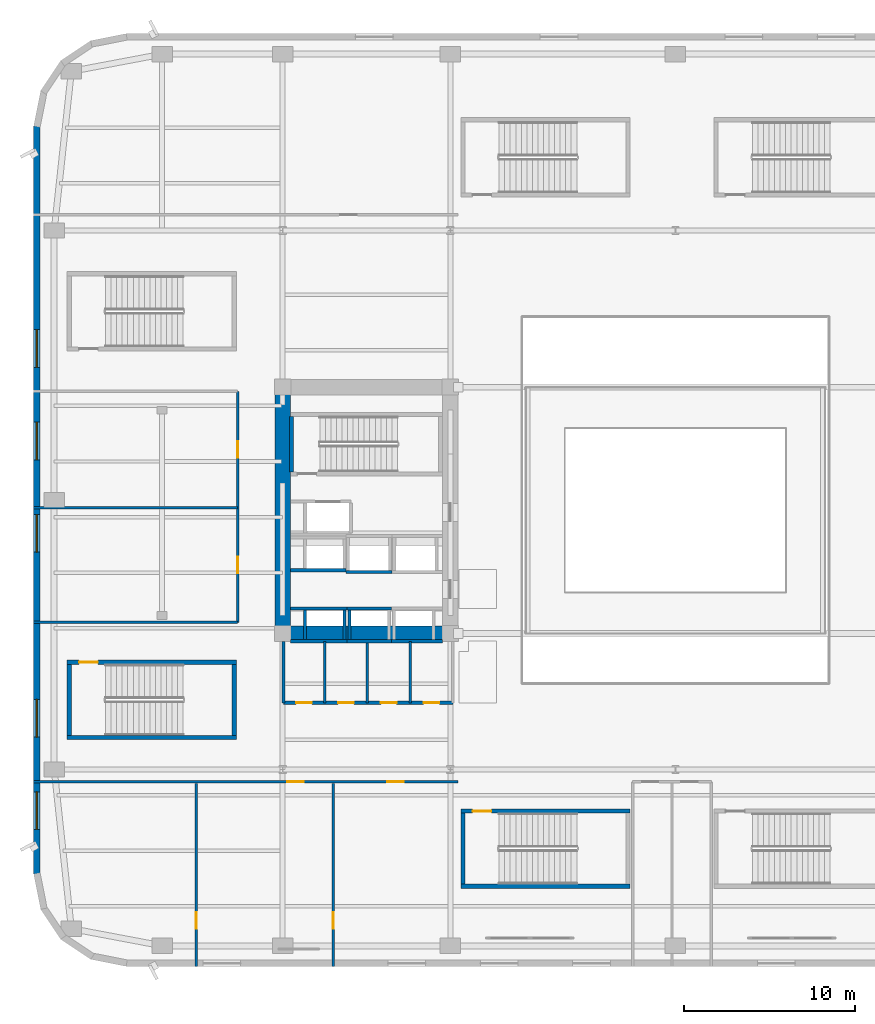
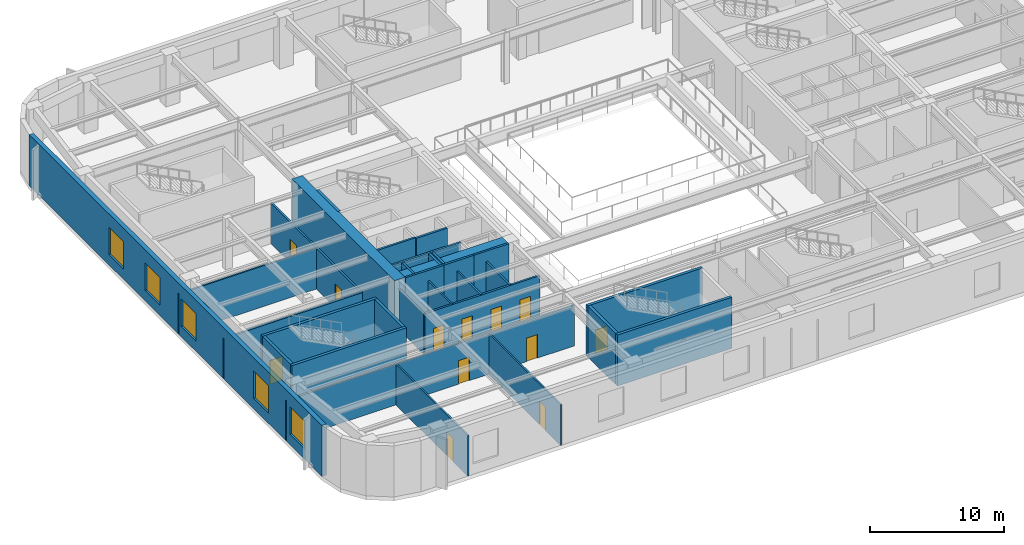
# One storey, part 6 of 22: 32 walls, 12 doors, 5 windows, 17 openings.
"""IFC4 building model written with IfcOpenShell, lengths in metres."""

from ifc_helpers import new_model, si_unit, direction, frame, frame_2d, origin, place, context, subcontext, project, spatial, rectangle, extrude, material, layer, layer_set, type_object, element, fill, save


model = new_model("IFC4")

# Units and contexts
model_context = context("Model", 3, precision=1e-05, world=origin(), true_north=direction((0.0, 1.0)))
body_context = subcontext(model_context, "Body", "Model", "MODEL_VIEW")
ifc_project = project(units=[si_unit("LENGTHUNIT", "METRE"), si_unit("AREAUNIT", "SQUARE_METRE"), si_unit("VOLUMEUNIT", "CUBIC_METRE"), si_unit("PLANEANGLEUNIT", "RADIAN"), si_unit("MASSUNIT", "GRAM", prefix="KILO")], contexts=[model_context])

# Site, building, storey
site_placement = place(None, origin())
site = spatial("IfcSite", under=ifc_project, at=site_placement, CompositionType="ELEMENT")
building_placement = place(site_placement, origin())
building = spatial("IfcBuilding", under=site, at=building_placement, Name="Kolvaren Arena Tower", CompositionType="ELEMENT")
storey_placement = place(building_placement, frame((0.0, 0.0, 13.0)))
storey = spatial("IfcBuildingStorey", under=building, at=storey_placement, Name="L02", CompositionType="ELEMENT", Elevation=13.0)

# Wall, openings, doors
ifc_material_1 = material(Name="Gypsum board acoustic assembly", Category="gypsum")
ifc_layer_1 = layer(ifc_material_1, 0.159912109375)
ifc_layer_set_1 = layer_set([ifc_layer_1], Name="Gypsum board acoustic assembly")
wall_type_1 = type_object("IfcWallType", Name="CORR-160", PredefinedType="PARTITIONING", material=ifc_layer_set_1)
wall_1_placement = place(storey_placement, frame((11.919921875, 20.10009765625, 0.0), z_axis=(0.0, 0.0, 1.0), x_axis=(0.0, 1.0, 0.0)))
wall_1 = element("IfcWall", 1, at=wall_1_placement, inside=storey, type_object=wall_type_1, Name="Interior Partition Wall (L02)", PredefinedType="PARTITIONING", context=body_context, shape_type="SweptSolid", body=[
    extrude(rectangle(XDim=13.5, YDim=0.159912109375, at=frame_2d((6.75, 0.0))), origin(), (0.0, 0.0, 1.0), 3.7099609375),
])
opening_1_placement = place(wall_1_placement, frame((2.8701171875, 0.0, 0.0)))
opening_1 = element("IfcOpeningElement", 2, at=opening_1_placement, cuts=wall_1, Name="Opening D05", PredefinedType="OPENING", context=body_context, shape_type="SweptSolid", body=[
    extrude(rectangle(XDim=0.949951171875, YDim=2.14990234375, at=frame_2d((0.47509765625, 1.074951171875))), frame((0.0, 0.08984375, 0.0), z_axis=(0.0, -1.0, 0.0), x_axis=(1.0, 0.0, 0.0)), (0.0, 0.0, 1.0), 0.179931640625),
])
opening_2_placement = place(wall_1_placement, frame((9.6201171875, 0.0, 0.0)))
opening_2 = element("IfcOpeningElement", 3, at=opening_2_placement, cuts=wall_1, Name="Opening D05", PredefinedType="OPENING", context=body_context, shape_type="SweptSolid", body=[
    extrude(rectangle(XDim=0.949951171875, YDim=2.14990234375, at=frame_2d((0.47509765625, 1.074951171875))), frame((0.0, 0.08984375, 0.0), z_axis=(0.0, -1.0, 0.0), x_axis=(1.0, 0.0, 0.0)), (0.0, 0.0, 1.0), 0.179931640625),
])
ifc_material_2 = material(Name="Solid-core oak acoustic office door", Category="wood")
door_type_1 = type_object("IfcDoorType", Name="DOOR-OF-095", OperationType="NOTDEFINED", PredefinedType="DOOR", material=ifc_material_2)
door_1_placement = place(opening_1_placement, origin())
door_1 = element("IfcDoor", 4, at=door_1_placement, inside=storey, type_object=door_type_1, Name="VIP Dining Hall Door (L02)", OperationType="SINGLE_SWING_LEFT", OverallHeight=2.14990234375, OverallWidth=0.949951171875, PredefinedType="DOOR", context=body_context, shape_type="SweptSolid", body=[
    extrude(rectangle(XDim=0.949951171875, YDim=2.14990234375, at=frame_2d((0.47509765625, 1.074951171875))), frame((0.0, 0.02490234375, 0.0), z_axis=(0.0, -1.0, 0.0), x_axis=(1.0, 0.0, 0.0)), (0.0, 0.0, 1.0), 0.050048828125),
])
fill(opening_1, door_1)
door_2_placement = place(opening_2_placement, origin())
door_2 = element("IfcDoor", 5, at=door_2_placement, inside=storey, type_object=door_type_1, Name="Sponsor Reception Lounge Door (L02)", OperationType="SINGLE_SWING_LEFT", OverallHeight=2.14990234375, OverallWidth=0.949951171875, PredefinedType="DOOR", context=body_context, shape_type="SweptSolid", body=[
    extrude(rectangle(XDim=0.949951171875, YDim=2.14990234375, at=frame_2d((0.47509765625, 1.074951171875))), frame((0.0, 0.02490234375, 0.0), z_axis=(0.0, -1.0, 0.0), x_axis=(1.0, 0.0, 0.0)), (0.0, 0.0, 1.0), 0.050048828125),
])
fill(opening_2, door_2)

# Wall
wall_2_placement = place(storey_placement, frame((0.0, 20.10009765625, 0.0), z_axis=(0.0, 0.0, 1.0), x_axis=(1.0, 0.0, 0.0)))
element("IfcWall", 6, at=wall_2_placement, inside=storey, type_object=wall_type_1, Name="Interior Partition Wall (L02)", PredefinedType="PARTITIONING", context=body_context, shape_type="SweptSolid", body=[
    extrude(rectangle(XDim=11.919921875, YDim=0.159912109375, at=frame_2d((5.9599609375, 0.0))), origin(), (0.0, 0.0, 1.0), 3.7099609375),
])

# Wall, openings, doors
wall_3_placement = place(storey_placement, frame((0.0, 10.780029296875, 0.0), z_axis=(0.0, 0.0, 1.0), x_axis=(1.0, 0.0, 0.0)))
wall_3 = element("IfcWall", 7, at=wall_3_placement, inside=storey, type_object=wall_type_1, Name="Interior Partition Wall (L02)", PredefinedType="PARTITIONING", context=body_context, shape_type="SweptSolid", body=[
    extrude(rectangle(XDim=24.800048828125, YDim=0.159912109375, at=frame_2d((12.39990234375, 0.0))), origin(), (0.0, 0.0, 1.0), 3.7099609375),
])
opening_3_placement = place(wall_3_placement, frame((14.818359375, 0.0, 0.0)))
opening_3 = element("IfcOpeningElement", 8, at=opening_3_placement, cuts=wall_3, Name="Opening D05", PredefinedType="OPENING", context=body_context, shape_type="SweptSolid", body=[
    extrude(rectangle(XDim=0.949951171875, YDim=2.14990234375, at=frame_2d((0.47509765625, 1.074951171875))), frame((0.0, 0.08984375, 0.0), z_axis=(0.0, -1.0, 0.0), x_axis=(1.0, 0.0, 0.0)), (0.0, 0.0, 1.0), 0.179931640625),
])
opening_4_placement = place(wall_3_placement, frame((20.669921875, 0.0, 0.0)))
opening_4 = element("IfcOpeningElement", 9, at=opening_4_placement, cuts=wall_3, Name="Opening D05", PredefinedType="OPENING", context=body_context, shape_type="SweptSolid", body=[
    extrude(rectangle(XDim=0.949951171875, YDim=2.14990234375, at=frame_2d((0.47509765625, 1.074951171875))), frame((0.0, 0.08984375, 0.0), z_axis=(0.0, -1.0, 0.0), x_axis=(1.0, 0.0, 0.0)), (0.0, 0.0, 1.0), 0.179931640625),
])
door_3_placement = place(opening_3_placement, origin())
door_3 = element("IfcDoor", 10, at=door_3_placement, inside=storey, type_object=door_type_1, Name="Guest Services Studio Door (L02)", OperationType="SINGLE_SWING_RIGHT", OverallHeight=2.14990234375, OverallWidth=0.949951171875, PredefinedType="DOOR", context=body_context, shape_type="SweptSolid", body=[
    extrude(rectangle(XDim=0.949951171875, YDim=2.14990234375, at=frame_2d((0.47509765625, 1.074951171875))), frame((0.0, 0.02490234375, 0.0), z_axis=(0.0, -1.0, 0.0), x_axis=(1.0, 0.0, 0.0)), (0.0, 0.0, 1.0), 0.050048828125),
])
fill(opening_3, door_3)
door_4_placement = place(opening_4_placement, origin())
door_4 = element("IfcDoor", 11, at=door_4_placement, inside=storey, type_object=door_type_1, Name="Breakout Pantry and Kitchen Door (L02)", OperationType="SINGLE_SWING_LEFT", OverallHeight=2.14990234375, OverallWidth=0.949951171875, PredefinedType="DOOR", context=body_context, shape_type="SweptSolid", body=[
    extrude(rectangle(XDim=0.949951171875, YDim=2.14990234375, at=frame_2d((0.47509765625, 1.074951171875))), frame((0.0, 0.02490234375, 0.0), z_axis=(0.0, -1.0, 0.0), x_axis=(1.0, 0.0, 0.0)), (0.0, 0.0, 1.0), 0.050048828125),
])
fill(opening_4, door_4)

# Walls
ifc_material_3 = material(Name="Concrete 80 MPa", Category="concrete")
ifc_layer_2 = layer(ifc_material_3, 0.89990234375)
ifc_layer_set_2 = layer_set([ifc_layer_2], Name="Concrete 80 MPa")
wall_type_2 = type_object("IfcWallType", Name="CWALL-900", PredefinedType="SHEAR", material=ifc_layer_set_2)
wall_4_placement = place(storey_placement, frame((14.550048828125, 19.0, -0.35009765625), z_axis=(0.0, 0.0, 1.0), x_axis=(0.0, 1.0, 0.0)))
element("IfcWall", 12, at=wall_4_placement, inside=storey, type_object=wall_type_2, Name="Core Shear Wall WC-WEST (L02)", PredefinedType="SHEAR", context=body_context, shape_type="SweptSolid", body=[
    extrude(rectangle(XDim=15.300048828125, YDim=0.89990234375, at=frame_2d((7.64990234375, 0.0))), origin(), (0.0, 0.0, 1.0), 5.0),
])
wall_5_placement = place(storey_placement, frame((15.0, 19.449951171875, -0.35009765625), z_axis=(0.0, 0.0, 1.0), x_axis=(1.0, 0.0, 0.0)))
element("IfcWall", 13, at=wall_5_placement, inside=storey, type_object=wall_type_2, Name="Core Shear Wall WC-SOUTH (L02)", PredefinedType="SHEAR", context=body_context, shape_type="SweptSolid", body=[
    extrude(rectangle(XDim=8.89990234375, YDim=0.89990234375, at=frame_2d((4.449951171875, 0.0))), origin(), (0.0, 0.0, 1.0), 5.0),
])

# Wall, openings, windows
ifc_material_4 = material(Name="Precast concrete C50/60", Category="concrete")
ifc_layer_3 = layer(ifc_material_4, 0.3798828125)
ifc_layer_set_3 = layer_set([ifc_layer_3], Name="Precast concrete C50/60")
wall_type_3 = type_object("IfcWallType", Name="EXT-ARENA", PredefinedType="SOLIDWALL", material=ifc_layer_set_3)
wall_6_placement = place(storey_placement, frame((0.18994140625, 5.39990234375, 0.0), z_axis=(0.0, 0.0, 1.0), x_axis=(0.0, 1.0, 0.0)))
wall_6 = element("IfcWall", 14, at=wall_6_placement, inside=storey, type_object=wall_type_3, Name="Exterior Precast Masonry-Frame Wall (L02)", PredefinedType="SOLIDWALL", context=body_context, shape_type="SweptSolid", body=[
    extrude(rectangle(XDim=43.7001953125, YDim=0.3798828125, at=frame_2d((21.85009765625, 0.0))), origin(), (0.0, 0.0, 1.0), 4.64990234375),
])
opening_5_placement = place(wall_6_placement, frame((2.60009765625, 0.0, 0.949951171875)))
opening_5 = element("IfcOpeningElement", 15, at=opening_5_placement, cuts=wall_6, Name="Opening W07", PredefinedType="OPENING", context=body_context, shape_type="SweptSolid", body=[
    extrude(rectangle(XDim=2.199951171875, YDim=2.5, at=frame_2d((1.10009765625, 1.25))), frame((0.0, 0.199951171875, 0.0), z_axis=(0.0, -1.0, 0.0), x_axis=(1.0, 0.0, 0.0)), (0.0, 0.0, 1.0), 0.39990234375),
])
opening_6_placement = place(wall_6_placement, frame((8.0, 0.0, 0.949951171875)))
opening_6 = element("IfcOpeningElement", 16, at=opening_6_placement, cuts=wall_6, Name="Opening W07", PredefinedType="OPENING", context=body_context, shape_type="SweptSolid", body=[
    extrude(rectangle(XDim=2.199951171875, YDim=2.5, at=frame_2d((1.10009765625, 1.25))), frame((0.0, 0.199951171875, 0.0), z_axis=(0.0, -1.0, 0.0), x_axis=(1.0, 0.0, 0.0)), (0.0, 0.0, 1.0), 0.39990234375),
])
opening_7_placement = place(wall_6_placement, frame((18.800048828125, 0.0, 0.949951171875)))
opening_7 = element("IfcOpeningElement", 17, at=opening_7_placement, cuts=wall_6, Name="Opening W07", PredefinedType="OPENING", context=body_context, shape_type="SweptSolid", body=[
    extrude(rectangle(XDim=2.199951171875, YDim=2.5, at=frame_2d((1.10009765625, 1.25))), frame((0.0, 0.199951171875, 0.0), z_axis=(0.0, -1.0, 0.0), x_axis=(1.0, 0.0, 0.0)), (0.0, 0.0, 1.0), 0.39990234375),
])
opening_8_placement = place(wall_6_placement, frame((24.199951171875, 0.0, 0.949951171875)))
opening_8 = element("IfcOpeningElement", 18, at=opening_8_placement, cuts=wall_6, Name="Opening W07", PredefinedType="OPENING", context=body_context, shape_type="SweptSolid", body=[
    extrude(rectangle(XDim=2.199951171875, YDim=2.5, at=frame_2d((1.10009765625, 1.25))), frame((0.0, 0.199951171875, 0.0), z_axis=(0.0, -1.0, 0.0), x_axis=(1.0, 0.0, 0.0)), (0.0, 0.0, 1.0), 0.39990234375),
])
opening_9_placement = place(wall_6_placement, frame((29.60009765625, 0.0, 0.949951171875)))
opening_9 = element("IfcOpeningElement", 19, at=opening_9_placement, cuts=wall_6, Name="Opening W07", PredefinedType="OPENING", context=body_context, shape_type="SweptSolid", body=[
    extrude(rectangle(XDim=2.199951171875, YDim=2.5, at=frame_2d((1.10009765625, 1.25))), frame((0.0, 0.199951171875, 0.0), z_axis=(0.0, -1.0, 0.0), x_axis=(1.0, 0.0, 0.0)), (0.0, 0.0, 1.0), 0.39990234375),
])
ifc_material_5 = material(Name="Triple-glazed arena concourse window", Category="glass")
window_type = type_object("IfcWindowType", Name="WIN-POD-A", PartitioningType="DOUBLE_PANEL_VERTICAL", PredefinedType="WINDOW", material=ifc_material_5)
window_1_placement = place(opening_5_placement, origin())
window_1 = element("IfcWindow", 20, at=window_1_placement, inside=storey, type_object=window_type, Name="Punched Precast-Pier Window (L02)", OverallHeight=2.5, OverallWidth=2.199951171875, PartitioningType="DOUBLE_PANEL_VERTICAL", PredefinedType="WINDOW", context=body_context, shape_type="SweptSolid", body=[
    extrude(rectangle(XDim=2.199951171875, YDim=2.5, at=frame_2d((1.10009765625, 1.25))), frame((0.0, 0.030029296875, 0.0), z_axis=(0.0, -1.0, 0.0), x_axis=(1.0, 0.0, 0.0)), (0.0, 0.0, 1.0), 0.06005859375),
])
fill(opening_5, window_1)
window_2_placement = place(opening_6_placement, origin())
window_2 = element("IfcWindow", 21, at=window_2_placement, inside=storey, type_object=window_type, Name="Punched Precast-Pier Window (L02)", OverallHeight=2.5, OverallWidth=2.199951171875, PartitioningType="DOUBLE_PANEL_VERTICAL", PredefinedType="WINDOW", context=body_context, shape_type="SweptSolid", body=[
    extrude(rectangle(XDim=2.199951171875, YDim=2.5, at=frame_2d((1.10009765625, 1.25))), frame((0.0, 0.030029296875, 0.0), z_axis=(0.0, -1.0, 0.0), x_axis=(1.0, 0.0, 0.0)), (0.0, 0.0, 1.0), 0.06005859375),
])
fill(opening_6, window_2)
window_3_placement = place(opening_7_placement, origin())
window_3 = element("IfcWindow", 22, at=window_3_placement, inside=storey, type_object=window_type, Name="Punched Precast-Pier Window (L02)", OverallHeight=2.5, OverallWidth=2.199951171875, PartitioningType="DOUBLE_PANEL_VERTICAL", PredefinedType="WINDOW", context=body_context, shape_type="SweptSolid", body=[
    extrude(rectangle(XDim=2.199951171875, YDim=2.5, at=frame_2d((1.10009765625, 1.25))), frame((0.0, 0.030029296875, 0.0), z_axis=(0.0, -1.0, 0.0), x_axis=(1.0, 0.0, 0.0)), (0.0, 0.0, 1.0), 0.06005859375),
])
fill(opening_7, window_3)
window_4_placement = place(opening_8_placement, origin())
window_4 = element("IfcWindow", 23, at=window_4_placement, inside=storey, type_object=window_type, Name="Punched Precast-Pier Window (L02)", OverallHeight=2.5, OverallWidth=2.199951171875, PartitioningType="DOUBLE_PANEL_VERTICAL", PredefinedType="WINDOW", context=body_context, shape_type="SweptSolid", body=[
    extrude(rectangle(XDim=2.199951171875, YDim=2.5, at=frame_2d((1.10009765625, 1.25))), frame((0.0, 0.030029296875, 0.0), z_axis=(0.0, -1.0, 0.0), x_axis=(1.0, 0.0, 0.0)), (0.0, 0.0, 1.0), 0.06005859375),
])
fill(opening_8, window_4)
window_5_placement = place(opening_9_placement, origin())
window_5 = element("IfcWindow", 24, at=window_5_placement, inside=storey, type_object=window_type, Name="Punched Precast-Pier Window (L02)", OverallHeight=2.5, OverallWidth=2.199951171875, PartitioningType="DOUBLE_PANEL_VERTICAL", PredefinedType="WINDOW", context=body_context, shape_type="SweptSolid", body=[
    extrude(rectangle(XDim=2.199951171875, YDim=2.5, at=frame_2d((1.10009765625, 1.25))), frame((0.0, 0.030029296875, 0.0), z_axis=(0.0, -1.0, 0.0), x_axis=(1.0, 0.0, 0.0)), (0.0, 0.0, 1.0), 0.06005859375),
])
fill(opening_9, window_5)

# Wall
ifc_material_6 = material(Name="Gypsum board partition assembly", Category="gypsum")
ifc_layer_4 = layer(ifc_material_6, 0.135009765625)
ifc_layer_set_4 = layer_set([ifc_layer_4], Name="Gypsum board partition assembly")
wall_type_4 = type_object("IfcWallType", Name="PART-135", PredefinedType="PARTITIONING", material=ifc_layer_set_4)
wall_7_placement = place(storey_placement, frame((0.0, 26.800048828125, 0.0), z_axis=(0.0, 0.0, 1.0), x_axis=(1.0, 0.0, 0.0)))
element("IfcWall", 25, at=wall_7_placement, inside=storey, type_object=wall_type_4, Name="Interior Partition Wall (L02)", PredefinedType="PARTITIONING", context=body_context, shape_type="SweptSolid", body=[
    extrude(rectangle(XDim=11.919921875, YDim=0.135009765625, at=frame_2d((5.9599609375, 0.0))), origin(), (0.0, 0.0, 1.0), 3.7099609375),
])

# Wall, opening, door
wall_8_placement = place(storey_placement, frame((9.5, 0.0, 0.0), z_axis=(0.0, 0.0, 1.0), x_axis=(0.0, 1.0, 0.0)))
wall_8 = element("IfcWall", 26, at=wall_8_placement, inside=storey, type_object=wall_type_4, Name="Interior Partition Wall (L02)", PredefinedType="PARTITIONING", context=body_context, shape_type="SweptSolid", body=[
    extrude(rectangle(XDim=10.68994140625, YDim=0.135009765625, at=frame_2d((5.344970703125, 0.0))), origin(), (0.0, 0.0, 1.0), 3.7099609375),
])
opening_10_placement = place(wall_8_placement, frame((2.199951171875, 0.0, 0.0)))
opening_10 = element("IfcOpeningElement", 27, at=opening_10_placement, cuts=wall_8, Name="Opening D05", PredefinedType="OPENING", context=body_context, shape_type="SweptSolid", body=[
    extrude(rectangle(XDim=0.949951171875, YDim=2.14990234375, at=frame_2d((0.47509765625, 1.074951171875))), frame((0.0, 0.077392578125, 0.0), z_axis=(0.0, -1.0, 0.0), x_axis=(1.0, 0.0, 0.0)), (0.0, 0.0, 1.0), 0.155029296875),
])
door_5_placement = place(opening_10_placement, origin())
door_5 = element("IfcDoor", 28, at=door_5_placement, inside=storey, type_object=door_type_1, Name="Arena Retail Pavilion Connecting Door (L02)", OperationType="SINGLE_SWING_LEFT", OverallHeight=2.14990234375, OverallWidth=0.949951171875, PredefinedType="DOOR", context=body_context, shape_type="SweptSolid", body=[
    extrude(rectangle(XDim=0.949951171875, YDim=2.14990234375, at=frame_2d((0.47509765625, 1.074951171875))), frame((0.0, 0.02490234375, 0.0), z_axis=(0.0, -1.0, 0.0), x_axis=(1.0, 0.0, 0.0)), (0.0, 0.0, 1.0), 0.050048828125),
])
fill(opening_10, door_5)

wall_9_placement = place(storey_placement, frame((17.5, 0.0, 0.0), z_axis=(0.0, 0.0, 1.0), x_axis=(0.0, 1.0, 0.0)))
wall_9 = element("IfcWall", 29, at=wall_9_placement, inside=storey, type_object=wall_type_4, Name="Interior Partition Wall (L02)", PredefinedType="PARTITIONING", context=body_context, shape_type="SweptSolid", body=[
    extrude(rectangle(XDim=10.68994140625, YDim=0.135009765625, at=frame_2d((5.344970703125, 0.0))), origin(), (0.0, 0.0, 1.0), 3.7099609375),
])
opening_11_placement = place(wall_9_placement, frame((2.199951171875, 0.0, 0.0)))
opening_11 = element("IfcOpeningElement", 30, at=opening_11_placement, cuts=wall_9, Name="Opening D05", PredefinedType="OPENING", context=body_context, shape_type="SweptSolid", body=[
    extrude(rectangle(XDim=0.949951171875, YDim=2.14990234375, at=frame_2d((0.47509765625, 1.074951171875))), frame((0.0, 0.077392578125, 0.0), z_axis=(0.0, -1.0, 0.0), x_axis=(1.0, 0.0, 0.0)), (0.0, 0.0, 1.0), 0.155029296875),
])
door_6_placement = place(opening_11_placement, origin())
door_6 = element("IfcDoor", 31, at=door_6_placement, inside=storey, type_object=door_type_1, Name="Guest Services Studio Connecting Door (L02)", OperationType="SINGLE_SWING_LEFT", OverallHeight=2.14990234375, OverallWidth=0.949951171875, PredefinedType="DOOR", context=body_context, shape_type="SweptSolid", body=[
    extrude(rectangle(XDim=0.949951171875, YDim=2.14990234375, at=frame_2d((0.47509765625, 1.074951171875))), frame((0.0, 0.02490234375, 0.0), z_axis=(0.0, -1.0, 0.0), x_axis=(1.0, 0.0, 0.0)), (0.0, 0.0, 1.0), 0.050048828125),
])
fill(opening_11, door_6)

ifc_material_7 = material(Name="Concrete 45 MPa", Category="concrete")
ifc_layer_5 = layer(ifc_material_7, 0.25)
ifc_layer_set_5 = layer_set([ifc_layer_5], Name="Concrete 45 MPa")
wall_type_5 = type_object("IfcWallType", Name="SHAFT-250", PredefinedType="SOLIDWALL", material=ifc_layer_set_5)
wall_10_placement = place(storey_placement, frame((1.9599609375, 17.77001953125, 0.0), z_axis=(0.0, 0.0, 1.0), x_axis=(1.0, 0.0, 0.0)))
wall_10 = element("IfcWall", 32, at=wall_10_placement, inside=storey, type_object=wall_type_5, Name="Stair ST-A1 Rated Enclosure Wall (L02)", PredefinedType="SOLIDWALL", context=body_context, shape_type="SweptSolid", body=[
    extrude(rectangle(XDim=9.880126953125, YDim=0.239990234375, at=frame_2d((4.93994140625, 0.0))), origin(), (0.0, 0.0, 1.0), 4.64990234375),
])
opening_12_placement = place(wall_10_placement, frame((0.68994140625, 0.0, 0.0)))
opening_12 = element("IfcOpeningElement", 33, at=opening_12_placement, cuts=wall_10, Name="Opening D03", PredefinedType="OPENING", context=body_context, shape_type="SweptSolid", body=[
    extrude(rectangle(XDim=1.10009765625, YDim=2.14990234375, at=frame_2d((0.550048828125, 1.074951171875))), frame((0.0, 0.1298828125, 0.0), z_axis=(0.0, -1.0, 0.0), x_axis=(1.0, 0.0, 0.0)), (0.0, 0.0, 1.0), 0.260009765625),
])
ifc_material_8 = material(Name="Fire-rated steel exit stair door", Category="steel")
door_type_2 = type_object("IfcDoorType", Name="DOOR-ST-110", OperationType="NOTDEFINED", PredefinedType="DOOR", material=ifc_material_8)
door_7_placement = place(opening_12_placement, origin())
door_7 = element("IfcDoor", 34, at=door_7_placement, inside=storey, type_object=door_type_2, Name="Exit Stair ST-A1 Fire Door (L02)", OperationType="SINGLE_SWING_LEFT", OverallHeight=2.14990234375, OverallWidth=1.10009765625, PredefinedType="DOOR", context=body_context, shape_type="SweptSolid", body=[
    extrude(rectangle(XDim=1.10009765625, YDim=2.14990234375, at=frame_2d((0.550048828125, 1.074951171875))), frame((0.0, 0.02490234375, 0.0), z_axis=(0.0, -1.0, 0.0), x_axis=(1.0, 0.0, 0.0)), (0.0, 0.0, 1.0), 0.050048828125),
])
fill(opening_12, door_7)

# Walls
wall_11_placement = place(storey_placement, frame((1.9599609375, 13.3798828125, 0.0), z_axis=(0.0, 0.0, 1.0), x_axis=(1.0, 0.0, 0.0)))
element("IfcWall", 35, at=wall_11_placement, inside=storey, type_object=wall_type_5, Name="Stair ST-A1 Rear Shaft Wall (L02)", PredefinedType="SOLIDWALL", context=body_context, shape_type="SweptSolid", body=[
    extrude(rectangle(XDim=9.880126953125, YDim=0.239990234375, at=frame_2d((4.93994140625, 0.0))), origin(), (0.0, 0.0, 1.0), 4.64990234375),
])
for number, where, z_axis, x_axis, name in (
    (36, (2.080078125, 13.5, 0.0), (0.0, 0.0, 1.0), (0.0, 1.0, 0.0), "Stair ST-A1 West Shaft Wall (L02)"),
    (37, (11.719970703125, 13.5, 0.0), (0.0, 0.0, 1.0), (0.0, 1.0, 0.0), "Stair ST-A1 East Shaft Wall (L02)"),
):
    element("IfcWall", number, at=place(storey_placement, frame(where, z_axis=z_axis, x_axis=x_axis)), inside=storey, type_object=wall_type_5, Name=name, PredefinedType="SOLIDWALL", context=body_context, shape_type="SweptSolid", body=[
        extrude(rectangle(XDim=4.14990234375, YDim=0.239990234375, at=frame_2d((2.074951171875, 0.0))), origin(), (0.0, 0.0, 1.0), 4.64990234375),
    ])

# Wall, opening, door
wall_12_placement = place(storey_placement, frame((24.9599609375, 9.070068359375, 0.0), z_axis=(0.0, 0.0, 1.0), x_axis=(1.0, 0.0, 0.0)))
wall_12 = element("IfcWall", 38, at=wall_12_placement, inside=storey, type_object=wall_type_5, Name="Stair ST-A2 Rated Enclosure Wall (L02)", PredefinedType="SOLIDWALL", context=body_context, shape_type="SweptSolid", body=[
    extrude(rectangle(XDim=9.880126953125, YDim=0.239990234375, at=frame_2d((4.93994140625, 0.0))), origin(), (0.0, 0.0, 1.0), 4.64990234375),
])
opening_13_placement = place(wall_12_placement, frame((0.68994140625, 0.0, 0.0)))
opening_13 = element("IfcOpeningElement", 39, at=opening_13_placement, cuts=wall_12, Name="Opening D03", PredefinedType="OPENING", context=body_context, shape_type="SweptSolid", body=[
    extrude(rectangle(XDim=1.10009765625, YDim=2.14990234375, at=frame_2d((0.550048828125, 1.074951171875))), frame((0.0, 0.1298828125, 0.0), z_axis=(0.0, -1.0, 0.0), x_axis=(1.0, 0.0, 0.0)), (0.0, 0.0, 1.0), 0.260009765625),
])
door_8_placement = place(opening_13_placement, origin())
door_8 = element("IfcDoor", 40, at=door_8_placement, inside=storey, type_object=door_type_2, Name="Exit Stair ST-A2 Fire Door (L02)", OperationType="SINGLE_SWING_LEFT", OverallHeight=2.14990234375, OverallWidth=1.10009765625, PredefinedType="DOOR", context=body_context, shape_type="SweptSolid", body=[
    extrude(rectangle(XDim=1.10009765625, YDim=2.14990234375, at=frame_2d((0.550048828125, 1.074951171875))), frame((0.0, 0.02490234375, 0.0), z_axis=(0.0, -1.0, 0.0), x_axis=(1.0, 0.0, 0.0)), (0.0, 0.0, 1.0), 0.050048828125),
])
fill(opening_13, door_8)

# Walls
wall_13_placement = place(storey_placement, frame((24.9599609375, 4.679931640625, 0.0), z_axis=(0.0, 0.0, 1.0), x_axis=(1.0, 0.0, 0.0)))
element("IfcWall", 41, at=wall_13_placement, inside=storey, type_object=wall_type_5, Name="Stair ST-A2 Rear Shaft Wall (L02)", PredefinedType="SOLIDWALL", context=body_context, shape_type="SweptSolid", body=[
    extrude(rectangle(XDim=9.880126953125, YDim=0.239990234375, at=frame_2d((4.93994140625, 0.0))), origin(), (0.0, 0.0, 1.0), 4.64990234375),
])
wall_14_placement = place(storey_placement, frame((25.080078125, 4.800048828125, 0.0), z_axis=(0.0, 0.0, 1.0), x_axis=(0.0, 1.0, 0.0)))
element("IfcWall", 42, at=wall_14_placement, inside=storey, type_object=wall_type_5, Name="Stair ST-A2 West Shaft Wall (L02)", PredefinedType="SOLIDWALL", context=body_context, shape_type="SweptSolid", body=[
    extrude(rectangle(XDim=4.14990234375, YDim=0.239990234375, at=frame_2d((2.074951171875, 0.0))), origin(), (0.0, 0.0, 1.0), 4.64990234375),
])
wall_15_placement = place(storey_placement, frame((15.06005859375, 28.89990234375, 0.0), z_axis=(0.0, 0.0, 1.0), x_axis=(0.0, 1.0, 0.0)))
element("IfcWall", 43, at=wall_15_placement, inside=storey, type_object=wall_type_5, Name="Core Shaft Wall (L02)", PredefinedType="SOLIDWALL", context=body_context, shape_type="SweptSolid", body=[
    extrude(rectangle(XDim=3.22998046875, YDim=0.239990234375, at=frame_2d((1.614990234375, 0.0))), origin(), (0.0, 0.0, 1.0), 4.64990234375),
])
for number, where, z_axis, x_axis, name in (
    (44, (15.0, 20.905029296875, 0.0), (0.0, 0.0, 1.0), (1.0, 0.0, 0.0), "Core Shaft Wall (L02)"),
    (45, (15.0, 18.9951171875, 0.0), (0.0, 0.0, 1.0), (1.0, 0.0, 0.0), "Core Shaft Wall (L02)"),
):
    element("IfcWall", number, at=place(storey_placement, frame(where, z_axis=z_axis, x_axis=x_axis)), inside=storey, type_object=wall_type_5, Name=name, PredefinedType="SOLIDWALL", context=body_context, shape_type="SweptSolid", body=[
        extrude(rectangle(XDim=3.300048828125, YDim=0.179931640625, at=frame_2d((1.64990234375, 0.0))), origin(), (0.0, 0.0, 1.0), 4.64990234375),
    ])
for number, where, z_axis, x_axis, name in (
    (46, (15.844970703125, 19.0849609375, 0.0), (0.0, 0.0, 1.0), (0.0, 1.0, 0.0), "Core Shaft Wall (L02)"),
    (47, (18.155029296875, 19.0849609375, 0.0), (0.0, 0.0, 1.0), (0.0, 1.0, 0.0), "Core Shaft Wall (L02)"),
):
    element("IfcWall", number, at=place(storey_placement, frame(where, z_axis=z_axis, x_axis=x_axis)), inside=storey, type_object=wall_type_5, Name=name, PredefinedType="SOLIDWALL", context=body_context, shape_type="SweptSolid", body=[
        extrude(rectangle(XDim=1.72998046875, YDim=0.179931640625, at=frame_2d((0.864990234375, 0.0))), origin(), (0.0, 0.0, 1.0), 4.64990234375),
    ])
for number, where, z_axis, x_axis, name in (
    (48, (18.300048828125, 20.905029296875, 0.0), (0.0, 0.0, 1.0), (1.0, 0.0, 0.0), "Core Shaft Wall (L02)"),
    (49, (18.300048828125, 18.9951171875, 0.0), (0.0, 0.0, 1.0), (1.0, 0.0, 0.0), "Core Shaft Wall (L02)"),
):
    element("IfcWall", number, at=place(storey_placement, frame(where, z_axis=z_axis, x_axis=x_axis)), inside=storey, type_object=wall_type_5, Name=name, PredefinedType="SOLIDWALL", context=body_context, shape_type="SweptSolid", body=[
        extrude(rectangle(XDim=2.599853515625, YDim=0.179931640625, at=frame_2d((1.2998046875, 0.0))), origin(), (0.0, 0.0, 1.0), 4.64990234375),
    ])
wall_16_placement = place(storey_placement, frame((18.445068359375, 19.0849609375, 0.0), z_axis=(0.0, 0.0, 1.0), x_axis=(0.0, 1.0, 0.0)))
element("IfcWall", 50, at=wall_16_placement, inside=storey, type_object=wall_type_5, Name="Core Shaft Wall (L02)", PredefinedType="SOLIDWALL", context=body_context, shape_type="SweptSolid", body=[
    extrude(rectangle(XDim=1.72998046875, YDim=0.179931640625, at=frame_2d((0.864990234375, 0.0))), origin(), (0.0, 0.0, 1.0), 4.64990234375),
])
wall_17_placement = place(storey_placement, frame((20.89990234375, 18.9951171875, 0.0), z_axis=(0.0, 0.0, 1.0), x_axis=(1.0, 0.0, 0.0)))
element("IfcWall", 51, at=wall_17_placement, inside=storey, type_object=wall_type_5, Name="Core Shaft Wall (L02)", PredefinedType="SOLIDWALL", context=body_context, shape_type="SweptSolid", body=[
    extrude(rectangle(XDim=3.0, YDim=0.179931640625, at=frame_2d((1.5, 0.0))), origin(), (0.0, 0.0, 1.0), 4.64990234375),
])
wall_18_placement = place(storey_placement, frame((15.0, 23.14501953125, 0.0), z_axis=(0.0, 0.0, 1.0), x_axis=(1.0, 0.0, 0.0)))
element("IfcWall", 52, at=wall_18_placement, inside=storey, type_object=wall_type_5, Name="Core Shaft Wall (L02)", PredefinedType="SOLIDWALL", context=body_context, shape_type="SweptSolid", body=[
    extrude(rectangle(XDim=3.262451171875, YDim=0.179931640625, at=frame_2d((1.63134765625, 0.0))), origin(), (0.0, 0.0, 1.0), 4.64990234375),
])
wall_19_placement = place(storey_placement, frame((18.262451171875, 23.044921875, 0.0), z_axis=(0.0, 0.0, 1.0), x_axis=(1.0, 0.0, 0.0)))
element("IfcWall", 53, at=wall_19_placement, inside=storey, type_object=wall_type_5, Name="Core Shaft Wall (L02)", PredefinedType="SOLIDWALL", context=body_context, shape_type="SweptSolid", body=[
    extrude(rectangle(XDim=2.6875, YDim=0.179931640625, at=frame_2d((1.34375, 0.0))), origin(), (0.0, 0.0, 1.0), 4.64990234375),
])
ifc_material_9 = material(Name="Moisture-resistant gypsum assembly", Category="gypsum")
ifc_layer_6 = layer(ifc_material_9, 0.14990234375)
ifc_layer_set_6 = layer_set([ifc_layer_6], Name="Moisture-resistant gypsum assembly")
wall_type_6 = type_object("IfcWallType", Name="WETW-150", PredefinedType="PARTITIONING", material=ifc_layer_set_6)
for number, where, z_axis, x_axis, name in (
    (54, (17.0, 15.39990234375, 0.0), (0.0, 0.0, 1.0), (0.0, 1.0, 0.0), "Interior Partition Wall (L02)"),
    (55, (19.5, 15.39990234375, 0.0), (0.0, 0.0, 1.0), (0.0, 1.0, 0.0), "Interior Partition Wall (L02)"),
    (56, (22.0, 15.39990234375, 0.0), (0.0, 0.0, 1.0), (0.0, 1.0, 0.0), "Interior Partition Wall (L02)"),
):
    element("IfcWall", number, at=place(storey_placement, frame(where, z_axis=z_axis, x_axis=x_axis)), inside=storey, type_object=wall_type_6, Name=name, PredefinedType="PARTITIONING", context=body_context, shape_type="SweptSolid", body=[
        extrude(rectangle(XDim=3.580078125, YDim=0.14990234375, at=frame_2d((1.7900390625, 0.0))), origin(), (0.0, 0.0, 1.0), 3.7099609375),
    ])

# Wall, openings, doors
wall_20_placement = place(storey_placement, frame((14.60009765625, 15.39990234375, 0.0), z_axis=(0.0, 0.0, 1.0), x_axis=(1.0, 0.0, 0.0)))
wall_20 = element("IfcWall", 57, at=wall_20_placement, inside=storey, type_object=wall_type_6, Name="Interior Partition Wall (L02)", PredefinedType="PARTITIONING", context=body_context, shape_type="SweptSolid", body=[
    extrude(rectangle(XDim=9.89990234375, YDim=0.179931640625, at=frame_2d((4.949951171875, 0.0))), origin(), (0.0, 0.0, 1.0), 3.7099609375),
])
opening_14_placement = place(wall_20_placement, frame((0.739990234375, 0.0, 0.0)))
opening_14 = element("IfcOpeningElement", 58, at=opening_14_placement, cuts=wall_20, Name="Opening D07", PredefinedType="OPENING", context=body_context, shape_type="SweptSolid", body=[
    extrude(rectangle(XDim=0.919921875, YDim=2.10009765625, at=frame_2d((0.4599609375, 1.050048828125))), frame((0.0, 0.099853515625, 0.0), z_axis=(0.0, -1.0, 0.0), x_axis=(1.0, 0.0, 0.0)), (0.0, 0.0, 1.0), 0.199951171875),
])
opening_15_placement = place(wall_20_placement, frame((3.18994140625, 0.0, 0.0)))
opening_15 = element("IfcOpeningElement", 59, at=opening_15_placement, cuts=wall_20, Name="Opening D07", PredefinedType="OPENING", context=body_context, shape_type="SweptSolid", body=[
    extrude(rectangle(XDim=0.919921875, YDim=2.10009765625, at=frame_2d((0.4599609375, 1.050048828125))), frame((0.0, 0.099853515625, 0.0), z_axis=(0.0, -1.0, 0.0), x_axis=(1.0, 0.0, 0.0)), (0.0, 0.0, 1.0), 0.199951171875),
])
opening_16_placement = place(wall_20_placement, frame((5.68994140625, 0.0, 0.0)))
opening_16 = element("IfcOpeningElement", 60, at=opening_16_placement, cuts=wall_20, Name="Opening D07", PredefinedType="OPENING", context=body_context, shape_type="SweptSolid", body=[
    extrude(rectangle(XDim=0.919921875, YDim=2.10009765625, at=frame_2d((0.4599609375, 1.050048828125))), frame((0.0, 0.099853515625, 0.0), z_axis=(0.0, -1.0, 0.0), x_axis=(1.0, 0.0, 0.0)), (0.0, 0.0, 1.0), 0.199951171875),
])
opening_17_placement = place(wall_20_placement, frame((8.18994140625, 0.0, 0.0)))
opening_17 = element("IfcOpeningElement", 61, at=opening_17_placement, cuts=wall_20, Name="Opening D07", PredefinedType="OPENING", context=body_context, shape_type="SweptSolid", body=[
    extrude(rectangle(XDim=0.919921875, YDim=2.10009765625, at=frame_2d((0.4599609375, 1.050048828125))), frame((0.0, 0.099853515625, 0.0), z_axis=(0.0, -1.0, 0.0), x_axis=(1.0, 0.0, 0.0)), (0.0, 0.0, 1.0), 0.199951171875),
])
ifc_material_10 = material(Name="Laminate universal washroom door", Category="wood")
door_type_3 = type_object("IfcDoorType", Name="DOOR-WC-092", OperationType="NOTDEFINED", PredefinedType="DOOR", material=ifc_material_10)
door_9_placement = place(opening_14_placement, origin())
door_9 = element("IfcDoor", 62, at=door_9_placement, inside=storey, type_object=door_type_3, Name="Cleaner and Janitor Store Door (L02)", OperationType="SINGLE_SWING_RIGHT", OverallHeight=2.10009765625, OverallWidth=0.919921875, PredefinedType="DOOR", context=body_context, shape_type="SweptSolid", body=[
    extrude(rectangle(XDim=0.919921875, YDim=2.10009765625, at=frame_2d((0.4599609375, 1.050048828125))), frame((0.0, 0.02490234375, 0.0), z_axis=(0.0, -1.0, 0.0), x_axis=(1.0, 0.0, 0.0)), (0.0, 0.0, 1.0), 0.050048828125),
])
fill(opening_14, door_9)
door_10_placement = place(opening_15_placement, origin())
door_10 = element("IfcDoor", 63, at=door_10_placement, inside=storey, type_object=door_type_3, Name="Universal Barrier-Free Washroom Door (L02)", OperationType="SINGLE_SWING_LEFT", OverallHeight=2.10009765625, OverallWidth=0.919921875, PredefinedType="DOOR", context=body_context, shape_type="SweptSolid", body=[
    extrude(rectangle(XDim=0.919921875, YDim=2.10009765625, at=frame_2d((0.4599609375, 1.050048828125))), frame((0.0, 0.02490234375, 0.0), z_axis=(0.0, -1.0, 0.0), x_axis=(1.0, 0.0, 0.0)), (0.0, 0.0, 1.0), 0.050048828125),
])
fill(opening_15, door_10)
door_11_placement = place(opening_16_placement, origin())
door_11 = element("IfcDoor", 64, at=door_11_placement, inside=storey, type_object=door_type_3, Name="Women Restroom Door (L02)", OperationType="SINGLE_SWING_RIGHT", OverallHeight=2.10009765625, OverallWidth=0.919921875, PredefinedType="DOOR", context=body_context, shape_type="SweptSolid", body=[
    extrude(rectangle(XDim=0.919921875, YDim=2.10009765625, at=frame_2d((0.4599609375, 1.050048828125))), frame((0.0, 0.02490234375, 0.0), z_axis=(0.0, -1.0, 0.0), x_axis=(1.0, 0.0, 0.0)), (0.0, 0.0, 1.0), 0.050048828125),
])
fill(opening_16, door_11)
door_12_placement = place(opening_17_placement, origin())
door_12 = element("IfcDoor", 65, at=door_12_placement, inside=storey, type_object=door_type_3, Name="Men Restroom Door (L02)", OperationType="SINGLE_SWING_LEFT", OverallHeight=2.10009765625, OverallWidth=0.919921875, PredefinedType="DOOR", context=body_context, shape_type="SweptSolid", body=[
    extrude(rectangle(XDim=0.919921875, YDim=2.10009765625, at=frame_2d((0.4599609375, 1.050048828125))), frame((0.0, 0.02490234375, 0.0), z_axis=(0.0, -1.0, 0.0), x_axis=(1.0, 0.0, 0.0)), (0.0, 0.0, 1.0), 0.050048828125),
])
fill(opening_17, door_12)

# Wall
wall_21_placement = place(storey_placement, frame((14.60009765625, 15.39990234375, 0.0), z_axis=(0.0, 0.0, 1.0), x_axis=(0.0, 1.0, 0.0)))
element("IfcWall", 66, at=wall_21_placement, inside=storey, type_object=wall_type_6, Name="Interior Partition Wall (L02)", PredefinedType="PARTITIONING", context=body_context, shape_type="SweptSolid", body=[
    extrude(rectangle(XDim=3.580078125, YDim=0.14990234375, at=frame_2d((1.7900390625, 0.0))), origin(), (0.0, 0.0, 1.0), 3.7099609375),
])

save(model, "model.ifc")
